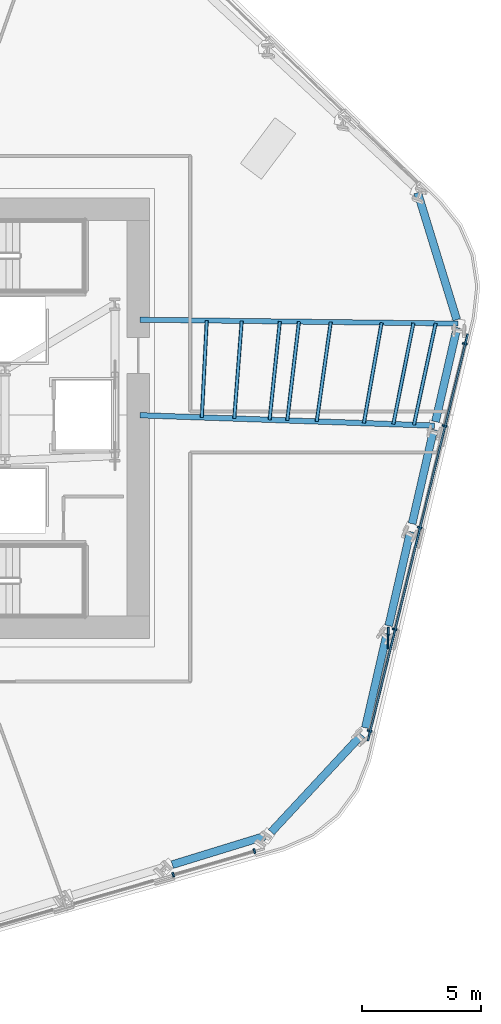
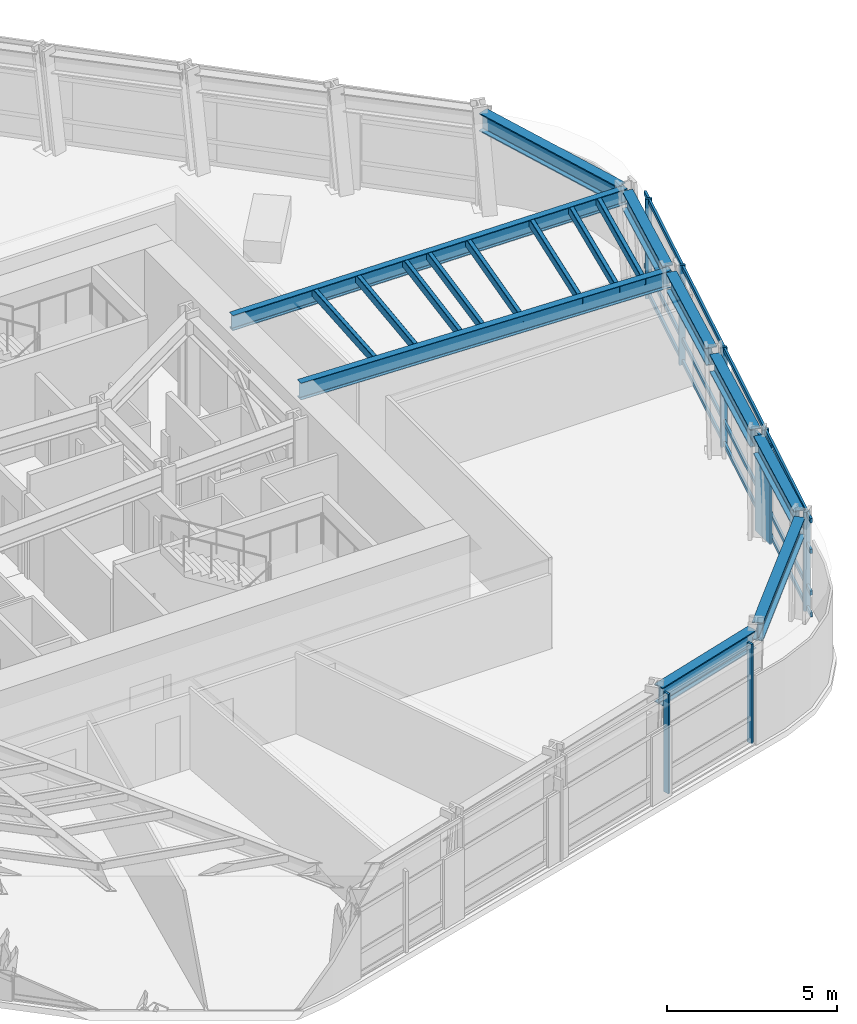
# One storey, part 4 of 15: 20 members, 9 beams, 2 elements without a shape of their own.
"""IFC4 building model written with IfcOpenShell, lengths in metres."""

from ifc_helpers import new_model, si_unit, direction, frame, origin, origin_2d, place, context, subcontext, project, spatial, rectangle, hollow_rectangle, i_section, extrude, material, layer, layer_set, material_profile, profile_set, type_object, element, aggregate, save


model = new_model("IFC4")

# Units and contexts
model_context = context("Model", 3, precision=1e-05, world=origin(), true_north=direction((0.0, 1.0)))
body_context = subcontext(model_context, "Body", "Model", "MODEL_VIEW")
ifc_project = project(units=[si_unit("LENGTHUNIT", "METRE"), si_unit("AREAUNIT", "SQUARE_METRE"), si_unit("VOLUMEUNIT", "CUBIC_METRE"), si_unit("PLANEANGLEUNIT", "RADIAN"), si_unit("MASSUNIT", "GRAM", prefix="KILO")], contexts=[model_context])

# Site, building, storey
site_placement = place(None, origin())
site = spatial("IfcSite", under=ifc_project, at=site_placement, CompositionType="ELEMENT")
building_placement = place(site_placement, origin())
building = spatial("IfcBuilding", under=site, at=building_placement, Name="Valkerne Bourse Tower", CompositionType="ELEMENT")
storey_placement = place(building_placement, frame((0.0, 0.0, 93.39990234375)))
storey = spatial("IfcBuildingStorey", under=building, at=storey_placement, Name="L23", CompositionType="ELEMENT", Elevation=93.39990234375)

# Beams
ifc_material_1 = material(Name="Steel ASTM A992", Category="steel")
ifc_material_profile_1 = material_profile(ifc_material_1, i_section(OverallWidth=0.2138671875, OverallDepth=0.548583984375, WebThickness=0.0146484375, FlangeThickness=0.023681640625, FilletRadius=0.017822265625, at=origin_2d()), Name="W21X93")
ifc_profile_set_1 = profile_set([ifc_material_profile_1], Name="Steel ASTM A992")
beam_type_1 = type_object("IfcBeamType", Name="BM-W21X93", PredefinedType="BEAM", material=ifc_profile_set_1)
beam_1_placement = place(storey_placement, frame((69.3125, 30.8369140625, 3.305908203125), z_axis=(-0.999924970006, 0.012249667693, 0.0), x_axis=(-0.012249667693, -0.999924970006, 0.0)))
element("IfcBeam", 1, at=beam_1_placement, inside=storey, type_object=beam_type_1, Name="L23 Radial Composite Floor Beam 29", PredefinedType="BEAM", context=body_context, shape_type="SweptSolid", body=[
    extrude(i_section(OverallWidth=0.2138671875, OverallDepth=0.548583984375, WebThickness=0.0146484375, FlangeThickness=0.023681640625, FilletRadius=0.017822265625, at=origin_2d()), origin(), (0.0, 0.0, 1.0), 13.3134765625),
])
ifc_material_profile_2 = material_profile(ifc_material_1, i_section(OverallWidth=0.330078125, OverallDepth=0.647705078125, WebThickness=0.0205078125, FlangeThickness=0.037109375, FilletRadius=0.020263671875, at=origin_2d()), Name="W24X192")
ifc_profile_set_2 = profile_set([ifc_material_profile_2], Name="Steel ASTM A992")
beam_type_2 = type_object("IfcBeamType", Name="BM-W24X192", PredefinedType="SPANDREL", material=ifc_profile_set_2)
beam_2_placement = place(storey_placement, frame((57.352294921875, 8.183349609375, 3.25634765625), z_axis=(0.955798591435, 0.294022197479, 0.0), x_axis=(-0.294022197479, 0.955798591435, 0.0)))
element("IfcBeam", 2, at=beam_2_placement, inside=storey, type_object=beam_type_2, Name="L23 Hexagonal Spandrel Ring Beam 23", PredefinedType="SPANDREL", context=body_context, shape_type="SweptSolid", body=[
    extrude(i_section(OverallWidth=0.330078125, OverallDepth=0.647705078125, WebThickness=0.0205078125, FlangeThickness=0.037109375, FilletRadius=0.020263671875, at=origin_2d()), origin(), (0.0, 0.0, 1.0), 4.04296875),
])
beam_3_placement = place(storey_placement, frame((61.494873046875, 9.546630859375, 3.25634765625), z_axis=(0.680723679527, 0.732540287037, 0.0), x_axis=(-0.732540287037, 0.680723679527, 0.0)))
element("IfcBeam", 3, at=beam_3_placement, inside=storey, type_object=beam_type_2, Name="L23 Hexagonal Spandrel Ring Beam 24", PredefinedType="SPANDREL", context=body_context, shape_type="SweptSolid", body=[
    extrude(i_section(OverallWidth=0.330078125, OverallDepth=0.647705078125, WebThickness=0.0205078125, FlangeThickness=0.037109375, FilletRadius=0.020263671875, at=origin_2d()), origin(), (0.0, 0.0, 1.0), 5.564453125),
])
for number, where, z_axis, x_axis, name in (
    (4, (65.4365234375, 13.9130859375, 3.25634765625), (0.22324945453, 0.97476134569, 0.0), (-0.97476134569, 0.22324945453, 0.0), "L23 Hexagonal Spandrel Ring Beam 25"),
    (5, (66.4150390625, 18.185546875, 3.25634765625), (0.223192076407, 0.974774485217, 0.0), (-0.974774485217, 0.223192076407, 0.0), "L23 Hexagonal Spandrel Ring Beam 26"),
):
    element("IfcBeam", number, at=place(storey_placement, frame(where, z_axis=z_axis, x_axis=x_axis)), inside=storey, type_object=beam_type_2, Name=name, PredefinedType="SPANDREL", context=body_context, shape_type="SweptSolid", body=[
        extrude(i_section(OverallWidth=0.330078125, OverallDepth=0.647705078125, WebThickness=0.0205078125, FlangeThickness=0.037109375, FilletRadius=0.020263671875, at=origin_2d()), origin(), (0.0, 0.0, 1.0), 4.04296875),
    ])
beam_4_placement = place(storey_placement, frame((67.3935546875, 22.4580078125, 3.25634765625), z_axis=(0.223205215174, 0.974771476767, 0.0), x_axis=(-0.974771476767, 0.223205215174, 0.0)))
element("IfcBeam", 6, at=beam_4_placement, inside=storey, type_object=beam_type_2, Name="L23 Hexagonal Spandrel Ring Beam 27", PredefinedType="SPANDREL", context=body_context, shape_type="SweptSolid", body=[
    extrude(i_section(OverallWidth=0.330078125, OverallDepth=0.647705078125, WebThickness=0.0205078125, FlangeThickness=0.037109375, FilletRadius=0.020263671875, at=origin_2d()), origin(), (0.0, 0.0, 1.0), 4.042724609375),
])
beam_5_placement = place(storey_placement, frame((68.3720703125, 26.730224609375, 3.25634765625), z_axis=(0.223192076407, 0.974774485217, 0.0), x_axis=(-0.974774485217, 0.223192076407, 0.0)))
element("IfcBeam", 7, at=beam_5_placement, inside=storey, type_object=beam_type_2, Name="L23 Hexagonal Spandrel Ring Beam 28", PredefinedType="SPANDREL", context=body_context, shape_type="SweptSolid", body=[
    extrude(i_section(OverallWidth=0.330078125, OverallDepth=0.647705078125, WebThickness=0.0205078125, FlangeThickness=0.037109375, FilletRadius=0.020263671875, at=origin_2d()), origin(), (0.0, 0.0, 1.0), 4.04296875),
])
beam_6_placement = place(storey_placement, frame((69.262451171875, 30.99951171875, 3.25634765625), z_axis=(-0.294042686134, 0.955792288487, 0.0), x_axis=(-0.955792288487, -0.294042686134, 0.0)))
element("IfcBeam", 8, at=beam_6_placement, inside=storey, type_object=beam_type_2, Name="L23 Hexagonal Spandrel Ring Beam 29", PredefinedType="SPANDREL", context=body_context, shape_type="SweptSolid", body=[
    extrude(i_section(OverallWidth=0.330078125, OverallDepth=0.647705078125, WebThickness=0.0205078125, FlangeThickness=0.037109375, FilletRadius=0.020263671875, at=origin_2d()), origin(), (0.0, 0.0, 1.0), 5.564697265625),
])
ifc_material_profile_3 = material_profile(ifc_material_1, i_section(OverallWidth=0.228271484375, OverallDepth=0.607177734375, WebThickness=0.01123046875, FlangeThickness=0.017333984375, FilletRadius=0.017822265625, at=origin_2d()), Name="W24X76")
ifc_profile_set_3 = profile_set([ifc_material_profile_3], Name="Steel ASTM A992")
beam_type_3 = type_object("IfcBeamType", Name="BM-W24X76", PredefinedType="JOIST", material=ifc_profile_set_3)
beam_7_placement = place(storey_placement, frame((68.333984375, 26.564453125, 3.276611328125), z_axis=(-0.999377087448, 0.035290750673, 0.0), x_axis=(-0.035290750673, -0.999377087448, 0.0)))
element("IfcBeam", 9, at=beam_7_placement, inside=storey, type_object=beam_type_3, Name="L23 Radial Composite Floor Beam 28", PredefinedType="JOIST", context=body_context, shape_type="SweptSolid", body=[
    extrude(i_section(OverallWidth=0.228271484375, OverallDepth=0.607177734375, WebThickness=0.01123046875, FlangeThickness=0.017333984375, FilletRadius=0.017822265625, at=origin_2d()), origin(), (0.0, 0.0, 1.0), 12.341552734375),
])

# Curtain wall, members
ifc_material_2 = material(Name="Aluminium AA 6063-T6", Category="aluminium")
ifc_layer = layer(ifc_material_2, 0.22998046875)
ifc_layer_set = layer_set([ifc_layer], Name="Aluminium AA 6063-T6")
curtain_wall_type = type_object("IfcCurtainWallType", Name="CW-02", PredefinedType="NOTDEFINED", material=ifc_layer_set)
curtain_wall_1_placement = place(storey_placement, origin())
curtain_wall_1 = element("IfcCurtainWall", 10, at=curtain_wall_1_placement, inside=storey, type_object=curtain_wall_type, Name="L23 Hexagonal Stick Curtain Wall Face 5", PredefinedType="NOTDEFINED")
ifc_material_profile_4 = material_profile(ifc_material_2, rectangle(XDim=0.074951171875, YDim=0.199951171875, at=origin_2d()), Name="CWM-75X200")
ifc_profile_set_4 = profile_set([ifc_material_profile_4], Name="Aluminium AA 6063-T6")
member_type_1 = type_object("IfcMemberType", Name="CW-MUL-220X75", PredefinedType="MULLION", material=ifc_profile_set_4)
member_1_placement = place(storey_placement, frame((57.390380859375, 7.76318359375, 0.0), z_axis=(0.0, 0.0, 1.0), x_axis=(0.960293593209, 0.278991424317, 0.0)))
member_1 = element("IfcMember", 11, at=member_1_placement, type_object=member_type_1, Name="CW-L23-F5 Jamb Mullion 03A", PredefinedType="MULLION", context=body_context, shape_type="SweptSolid", body=[
    extrude(rectangle(XDim=0.074951171875, YDim=0.199951171875, at=origin_2d()), origin(), (0.0, 0.0, 1.0), 3.580078125),
])
member_2_placement = place(storey_placement, frame((60.792724609375, 8.75146484375, 0.0), z_axis=(0.0, 0.0, 1.0), x_axis=(0.960293593209, 0.278991424317, 0.0)))
member_2 = element("IfcMember", 12, at=member_2_placement, type_object=member_type_1, Name="CW-L23-F5 Jamb Mullion 03B", PredefinedType="MULLION", context=body_context, shape_type="SweptSolid", body=[
    extrude(rectangle(XDim=0.074951171875, YDim=0.199951171875, at=origin_2d()), origin(), (0.0, 0.0, 1.0), 3.580078125),
])
aggregate(curtain_wall_1, [member_1, member_2])

curtain_wall_2_placement = place(storey_placement, origin())
curtain_wall_2 = element("IfcCurtainWall", 13, at=curtain_wall_2_placement, inside=storey, type_object=curtain_wall_type, Name="L23 Hexagonal Stick Curtain Wall Face 6", PredefinedType="NOTDEFINED")
member_3_placement = place(storey_placement, frame((65.618408203125, 13.78369140625, 0.0), z_axis=(0.0, 0.0, 1.0), x_axis=(0.238534172678, 0.971134104264, 0.0)))
member_3 = element("IfcMember", 14, at=member_3_placement, type_object=member_type_1, Name="CW-L23-F6 Jamb Mullion 00A", PredefinedType="MULLION", context=body_context, shape_type="SweptSolid", body=[
    extrude(rectangle(XDim=0.074951171875, YDim=0.199951171875, at=origin_2d()), origin(), (0.0, 0.0, 1.0), 3.580078125),
])
member_4_placement = place(storey_placement, frame((66.663818359375, 18.040283203125, 0.0), z_axis=(0.0, 0.0, 1.0), x_axis=(0.238534172678, 0.971134104264, 0.0)))
member_4 = element("IfcMember", 15, at=member_4_placement, type_object=member_type_1, Name="CW-L23-F6 Jamb Mullion 01A", PredefinedType="MULLION", context=body_context, shape_type="SweptSolid", body=[
    extrude(rectangle(XDim=0.074951171875, YDim=0.199951171875, at=origin_2d()), origin(), (0.0, 0.0, 1.0), 3.580078125),
])
member_5_placement = place(storey_placement, frame((67.70947265625, 22.296630859375, 0.0), z_axis=(0.0, 0.0, 1.0), x_axis=(0.238534172678, 0.971134104264, 0.0)))
member_5 = element("IfcMember", 16, at=member_5_placement, type_object=member_type_1, Name="CW-L23-F6 Jamb Mullion 02A", PredefinedType="MULLION", context=body_context, shape_type="SweptSolid", body=[
    extrude(rectangle(XDim=0.074951171875, YDim=0.199951171875, at=origin_2d()), origin(), (0.0, 0.0, 1.0), 3.580078125),
])
member_6_placement = place(storey_placement, frame((68.7548828125, 26.55322265625, 0.0), z_axis=(0.0, 0.0, 1.0), x_axis=(0.238539457931, 0.971132806062, 0.0)))
member_6 = element("IfcMember", 17, at=member_6_placement, type_object=member_type_1, Name="CW-L23-F6 Jamb Mullion 03A", PredefinedType="MULLION", context=body_context, shape_type="SweptSolid", body=[
    extrude(rectangle(XDim=0.074951171875, YDim=0.199951171875, at=origin_2d()), origin(), (0.0, 0.0, 1.0), 3.580078125),
])
member_7_placement = place(storey_placement, frame((69.60009765625, 29.993896484375, 0.0), z_axis=(0.0, 0.0, 1.0), x_axis=(0.238539457931, 0.971132806062, 0.0)))
member_7 = element("IfcMember", 18, at=member_7_placement, type_object=member_type_1, Name="CW-L23-F6 Jamb Mullion 03B", PredefinedType="MULLION", context=body_context, shape_type="SweptSolid", body=[
    extrude(rectangle(XDim=0.074951171875, YDim=0.199951171875, at=origin_2d()), origin(), (0.0, 0.0, 1.0), 3.580078125),
])
ifc_material_profile_5 = material_profile(ifc_material_2, rectangle(XDim=0.074951171875, YDim=0.14990234375, at=origin_2d()), Name="CWT-75X150")
ifc_profile_set_5 = profile_set([ifc_material_profile_5], Name="Aluminium AA 6063-T6")
member_type_2 = type_object("IfcMemberType", Name="CW-TRN-180X65", PredefinedType="USERDEFINED", material=ifc_profile_set_5)
member_8_placement = place(storey_placement, frame((65.53759765625, 13.37109375, 0.1201171875), z_axis=(0.23852957384, 0.971135233839, 0.0), x_axis=(-0.971135233839, 0.23852957384, 0.0)))
member_8 = element("IfcMember", 19, at=member_8_placement, type_object=member_type_2, Name="CW-L23-F6 Continuous Face Transom 1", ObjectType="TRANSOM", PredefinedType="USERDEFINED", context=body_context, shape_type="SweptSolid", body=[
    extrude(rectangle(XDim=0.074951171875, YDim=0.14990234375, at=origin_2d()), origin(), (0.0, 0.0, 1.0), 17.531982421875),
])
member_9_placement = place(storey_placement, frame((65.53759765625, 13.37109375, 0.900146484375), z_axis=(0.23852957384, 0.971135233839, 0.0), x_axis=(-0.971135233839, 0.23852957384, 0.0)))
member_9 = element("IfcMember", 20, at=member_9_placement, type_object=member_type_2, Name="CW-L23-F6 Continuous Face Transom 2", ObjectType="TRANSOM", PredefinedType="USERDEFINED", context=body_context, shape_type="SweptSolid", body=[
    extrude(rectangle(XDim=0.074951171875, YDim=0.14990234375, at=origin_2d()), origin(), (0.0, 0.0, 1.0), 17.531982421875),
])
member_10_placement = place(storey_placement, frame((65.53759765625, 13.37109375, 2.400146484375), z_axis=(0.23852957384, 0.971135233839, 0.0), x_axis=(-0.971135233839, 0.23852957384, 0.0)))
member_10 = element("IfcMember", 21, at=member_10_placement, type_object=member_type_2, Name="CW-L23-F6 Continuous Face Transom 3", ObjectType="TRANSOM", PredefinedType="USERDEFINED", context=body_context, shape_type="SweptSolid", body=[
    extrude(rectangle(XDim=0.074951171875, YDim=0.14990234375, at=origin_2d()), origin(), (0.0, 0.0, 1.0), 17.531982421875),
])
member_11_placement = place(storey_placement, frame((65.53759765625, 13.37109375, 3.5), z_axis=(0.23852957384, 0.971135233839, 0.0), x_axis=(-0.971135233839, 0.23852957384, 0.0)))
member_11 = element("IfcMember", 22, at=member_11_placement, type_object=member_type_2, Name="CW-L23-F6 Continuous Face Transom 4", ObjectType="TRANSOM", PredefinedType="USERDEFINED", context=body_context, shape_type="SweptSolid", body=[
    extrude(rectangle(XDim=0.074951171875, YDim=0.14990234375, at=origin_2d()), origin(), (0.0, 0.0, 1.0), 17.531982421875),
])
aggregate(curtain_wall_2, [member_8, member_9, member_10, member_11, member_3, member_4, member_5, member_6, member_7])

# Members
ifc_material_3 = material(Name="Bronze Anodised Aluminium AA 6063-T6", Category="aluminium")
ifc_material_profile_6 = material_profile(ifc_material_3, rectangle(XDim=0.070068359375, YDim=0.89990234375, at=origin_2d()), Name="FIN-70X900")
ifc_profile_set_6 = profile_set([ifc_material_profile_6], Name="Bronze Anodised Aluminium AA 6063-T6")
member_type_3 = type_object("IfcMemberType", Name="FIN-SOLAR-900", PredefinedType="USERDEFINED", material=ifc_profile_set_6)
member_12_placement = place(storey_placement, frame((66.388916015625, 17.67529296875, 0.004150390625), z_axis=(0.0, 0.0, 1.0), x_axis=(0.999924552458, -0.012283704321, 0.0)))
element("IfcMember", 23, at=member_12_placement, inside=storey, type_object=member_type_3, Name="L23 Bronze Anodised Solar Fin F6-01", ObjectType="SOLAR_FIN", PredefinedType="USERDEFINED", context=body_context, shape_type="SweptSolid", body=[
    extrude(rectangle(XDim=0.070068359375, YDim=0.89990234375, at=origin_2d()), origin(), (0.0, 0.0, 1.0), 3.572021484375),
])
ifc_material_4 = material(Name="Steel ASTM A500 Grade C", Category="steel")
ifc_material_profile_7 = material_profile(ifc_material_4, hollow_rectangle(XDim=0.14990234375, YDim=0.300048828125, WallThickness=0.012451171875, OuterFilletRadius=0.02490234375, at=origin_2d()), Name="HSS300X150X12.5")
ifc_profile_set_7 = profile_set([ifc_material_profile_7], Name="Steel ASTM A500 Grade C")
member_type_4 = type_object("IfcMemberType", Name="MBR-HSS300X150X12.5", PredefinedType="PURLIN", material=ifc_profile_set_7)
member_13_placement = place(storey_placement, frame((59.947021484375, 26.860595703125, 3.420166015625), z_axis=(0.076354904808, 0.997080703109, 0.0), x_axis=(-0.997080703109, 0.076354904808, 0.0)))
element("IfcMember", 24, at=member_13_placement, inside=storey, type_object=member_type_4, Name="L23 Secondary Composite Floor Purlin I-28", PredefinedType="PURLIN", context=body_context, shape_type="SweptSolid", body=[
    extrude(hollow_rectangle(XDim=0.14990234375, YDim=0.300048828125, WallThickness=0.012451171875, OuterFilletRadius=0.02490234375, at=origin_2d()), origin(), (0.0, 0.0, 1.0), 4.09912109375),
])
member_14_placement = place(storey_placement, frame((61.427001953125, 26.808349609375, 3.420166015625), z_axis=(0.103908540919, 0.994586856501, 0.0), x_axis=(-0.994586856501, 0.103908540919, 0.0)))
element("IfcMember", 25, at=member_14_placement, inside=storey, type_object=member_type_4, Name="L23 Secondary Composite Floor Purlin K-28", PredefinedType="PURLIN", context=body_context, shape_type="SweptSolid", body=[
    extrude(hollow_rectangle(XDim=0.14990234375, YDim=0.300048828125, WallThickness=0.012451171875, OuterFilletRadius=0.02490234375, at=origin_2d()), origin(), (0.0, 0.0, 1.0), 4.142333984375),
])
member_15_placement = place(storey_placement, frame((62.1669921875, 26.7822265625, 3.420166015625), z_axis=(0.117466998031, 0.993076786746, 0.0), x_axis=(-0.993076786746, 0.117466998031, 0.0)))
element("IfcMember", 26, at=member_15_placement, inside=storey, type_object=member_type_4, Name="L23 Secondary Composite Floor Purlin M-28", PredefinedType="PURLIN", context=body_context, shape_type="SweptSolid", body=[
    extrude(hollow_rectangle(XDim=0.14990234375, YDim=0.300048828125, WallThickness=0.012451171875, OuterFilletRadius=0.02490234375, at=origin_2d()), origin(), (0.0, 0.0, 1.0), 4.1650390625),
])
member_16_placement = place(storey_placement, frame((65.373779296875, 26.6689453125, 3.420166015625), z_axis=(0.174065685784, 0.984734043807, 0.0), x_axis=(-0.984734043807, 0.174065685784, 0.0)))
element("IfcMember", 27, at=member_16_placement, inside=storey, type_object=member_type_4, Name="L23 Secondary Composite Floor Purlin O-28", PredefinedType="PURLIN", context=body_context, shape_type="SweptSolid", body=[
    extrude(hollow_rectangle(XDim=0.14990234375, YDim=0.300048828125, WallThickness=0.012451171875, OuterFilletRadius=0.02490234375, at=origin_2d()), origin(), (0.0, 0.0, 1.0), 4.272216796875),
])
member_17_placement = place(storey_placement, frame((63.400390625, 26.73876953125, 3.420166015625), z_axis=(0.139648952487, 0.990201075575, 0.0), x_axis=(-0.990201075575, 0.139648952487, 0.0)))
element("IfcMember", 28, at=member_17_placement, inside=storey, type_object=member_type_4, Name="L23 Secondary Composite Floor Purlin Z-28", PredefinedType="PURLIN", context=body_context, shape_type="SweptSolid", body=[
    extrude(hollow_rectangle(XDim=0.14990234375, YDim=0.300048828125, WallThickness=0.012451171875, OuterFilletRadius=0.02490234375, at=origin_2d()), origin(), (0.0, 0.0, 1.0), 4.20458984375),
])
member_18_placement = place(storey_placement, frame((58.590087890625, 26.908447265625, 3.420166015625), z_axis=(0.050599999856, 0.998718999526, 0.0), x_axis=(-0.998718999526, 0.050599999856, 0.0)))
element("IfcMember", 29, at=member_18_placement, inside=storey, type_object=member_type_4, Name="L23 Secondary Composite Floor Purlin S-28", PredefinedType="PURLIN", context=body_context, shape_type="SweptSolid", body=[
    extrude(hollow_rectangle(XDim=0.14990234375, YDim=0.300048828125, WallThickness=0.012451171875, OuterFilletRadius=0.02490234375, at=origin_2d()), origin(), (0.0, 0.0, 1.0), 4.0625),
])
member_19_placement = place(storey_placement, frame((66.607177734375, 26.62548828125, 3.420166015625), z_axis=(0.194941412722, 0.980814888552, 0.0), x_axis=(-0.980814888552, 0.194941412722, 0.0)))
element("IfcMember", 30, at=member_19_placement, inside=storey, type_object=member_type_4, Name="L23 Secondary Composite Floor Purlin T-28", PredefinedType="PURLIN", context=body_context, shape_type="SweptSolid", body=[
    extrude(hollow_rectangle(XDim=0.14990234375, YDim=0.300048828125, WallThickness=0.012451171875, OuterFilletRadius=0.02490234375, at=origin_2d()), origin(), (0.0, 0.0, 1.0), 4.31689453125),
])
member_20_placement = place(storey_placement, frame((67.470703125, 26.594970703125, 3.420166015625), z_axis=(0.209191756318, 0.977874638739, 0.0), x_axis=(-0.977874638739, 0.209191756318, 0.0)))
element("IfcMember", 31, at=member_20_placement, inside=storey, type_object=member_type_4, Name="L23 Secondary Composite Floor Purlin U-28", PredefinedType="PURLIN", context=body_context, shape_type="SweptSolid", body=[
    extrude(hollow_rectangle(XDim=0.14990234375, YDim=0.300048828125, WallThickness=0.012451171875, OuterFilletRadius=0.02490234375, at=origin_2d()), origin(), (0.0, 0.0, 1.0), 4.349609375),
])

save(model, "model.ifc")
